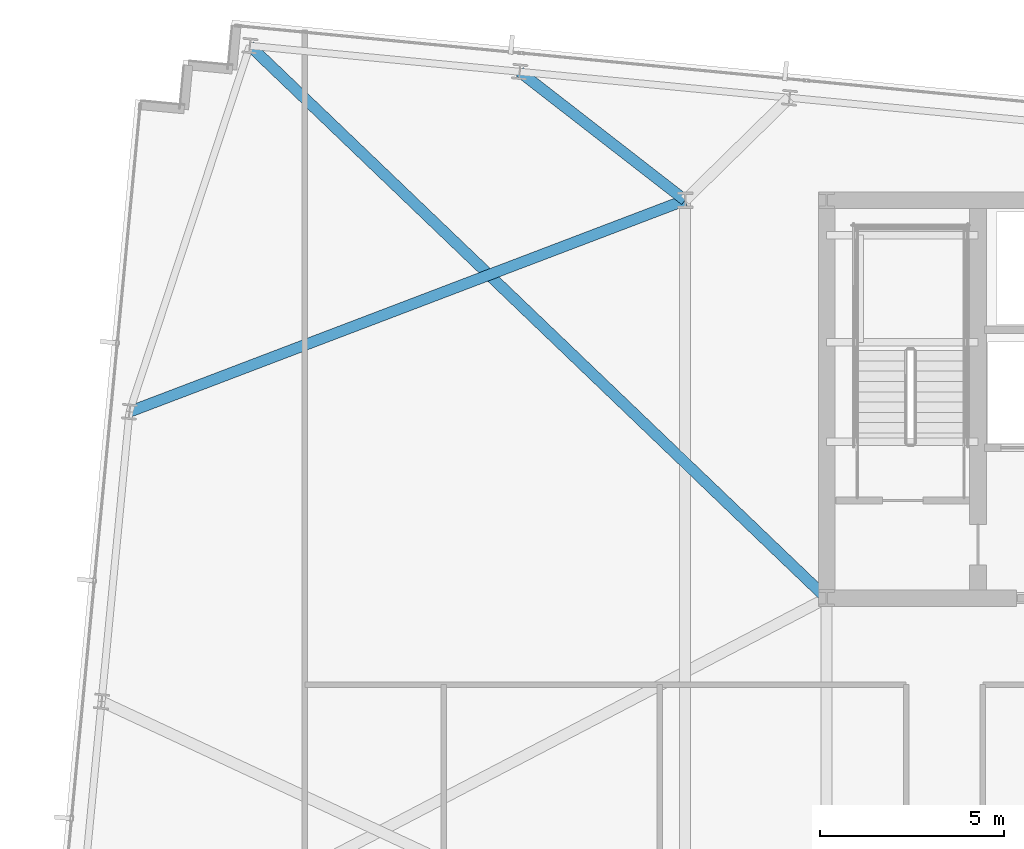
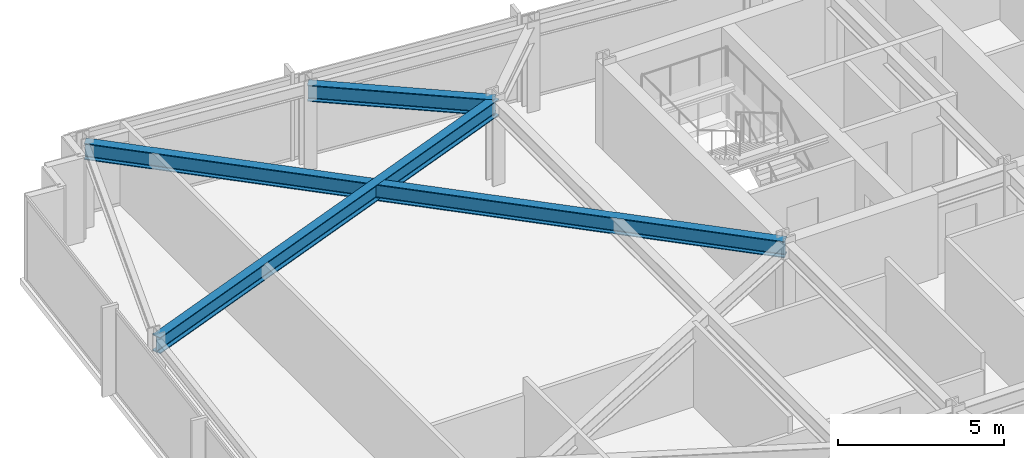
# One storey, part 22 of 37: 3 beams.
"""IFC4 building model written with IfcOpenShell, lengths in metres."""

from ifc_helpers import new_model, si_unit, direction, frame, origin, origin_2d, place, context, subcontext, project, spatial, i_section, extrude, material, material_profile, profile_set, type_object, element, save


model = new_model("IFC4")

# Units and contexts
model_context = context("Model", 3, precision=1e-05, world=origin(), true_north=direction((0.0, 1.0)))
body_context = subcontext(model_context, "Body", "Model", "MODEL_VIEW")
ifc_project = project(units=[si_unit("LENGTHUNIT", "METRE"), si_unit("AREAUNIT", "SQUARE_METRE"), si_unit("VOLUMEUNIT", "CUBIC_METRE"), si_unit("PLANEANGLEUNIT", "RADIAN"), si_unit("MASSUNIT", "GRAM", prefix="KILO")], contexts=[model_context])

# Site, building, storey
site_placement = place(None, origin())
site = spatial("IfcSite", under=ifc_project, at=site_placement, CompositionType="ELEMENT")
building_placement = place(site_placement, origin())
building = spatial("IfcBuilding", under=site, at=building_placement, Name="Yelkora Congress Tower", CompositionType="ELEMENT")
storey_placement = place(building_placement, frame((0.0, 0.0, 162.199951171875)))
storey = spatial("IfcBuildingStorey", under=building, at=storey_placement, Name="L44", CompositionType="ELEMENT", Elevation=162.199951171875)

# Beams
ifc_material = material(Name="Steel S355J2", Category="steel")
ifc_material_profile = material_profile(ifc_material, i_section(OverallWidth=0.300048828125, OverallDepth=0.60009765625, WebThickness=0.015380859375, FlangeThickness=0.030029296875, FilletRadius=0.027099609375, at=origin_2d()), Name="HEB 600")
ifc_profile_set = profile_set([ifc_material_profile], Name="Steel S355J2")
beam_type = type_object("IfcBeamType", Name="BM-GIRD-HEB600", PredefinedType="BEAM", material=ifc_profile_set)
beam_1_placement = place(storey_placement, frame((7.388916015625, 50.390625, 2.780029296875), z_axis=(0.722178809531, -0.691706416816, 0.0), x_axis=(0.691706416816, 0.722178809531, 0.0)))
element("IfcBeam", 1, at=beam_1_placement, inside=storey, type_object=beam_type, Name="L44 Primary Frame Girder N01", PredefinedType="BEAM", context=body_context, shape_type="SweptSolid", body=[
    extrude(i_section(OverallWidth=0.300048828125, OverallDepth=0.60009765625, WebThickness=0.015380859375, FlangeThickness=0.030029296875, FilletRadius=0.027099609375, at=origin_2d()), origin(), (0.0, 0.0, 1.0), 21.672119140625),
])
beam_2_placement = place(storey_placement, frame((14.712158203125, 49.685546875, 2.780029296875), z_axis=(0.789770770989, -0.6134020943, 0.0), x_axis=(0.6134020943, 0.789770770989, 0.0)))
element("IfcBeam", 2, at=beam_2_placement, inside=storey, type_object=beam_type, Name="L44 Primary Frame Girder N02", PredefinedType="BEAM", context=body_context, shape_type="SweptSolid", body=[
    extrude(i_section(OverallWidth=0.300048828125, OverallDepth=0.60009765625, WebThickness=0.015380859375, FlangeThickness=0.030029296875, FilletRadius=0.027099609375, at=origin_2d()), origin(), (0.0, 0.0, 1.0), 5.682373046875),
])
beam_3_placement = place(storey_placement, frame((4.121826171875, 40.4580078125, 2.780029296875), z_axis=(0.934531115392, 0.355881433013, 0.0), x_axis=(-0.355881433013, 0.934531115392, 0.0)))
element("IfcBeam", 3, at=beam_3_placement, inside=storey, type_object=beam_type, Name="L44 Primary Frame Girder W03", PredefinedType="BEAM", context=body_context, shape_type="SweptSolid", body=[
    extrude(i_section(OverallWidth=0.300048828125, OverallDepth=0.60009765625, WebThickness=0.015380859375, FlangeThickness=0.030029296875, FilletRadius=0.027099609375, at=origin_2d()), origin(), (0.0, 0.0, 1.0), 16.134521484375),
])

save(model, "model.ifc")
